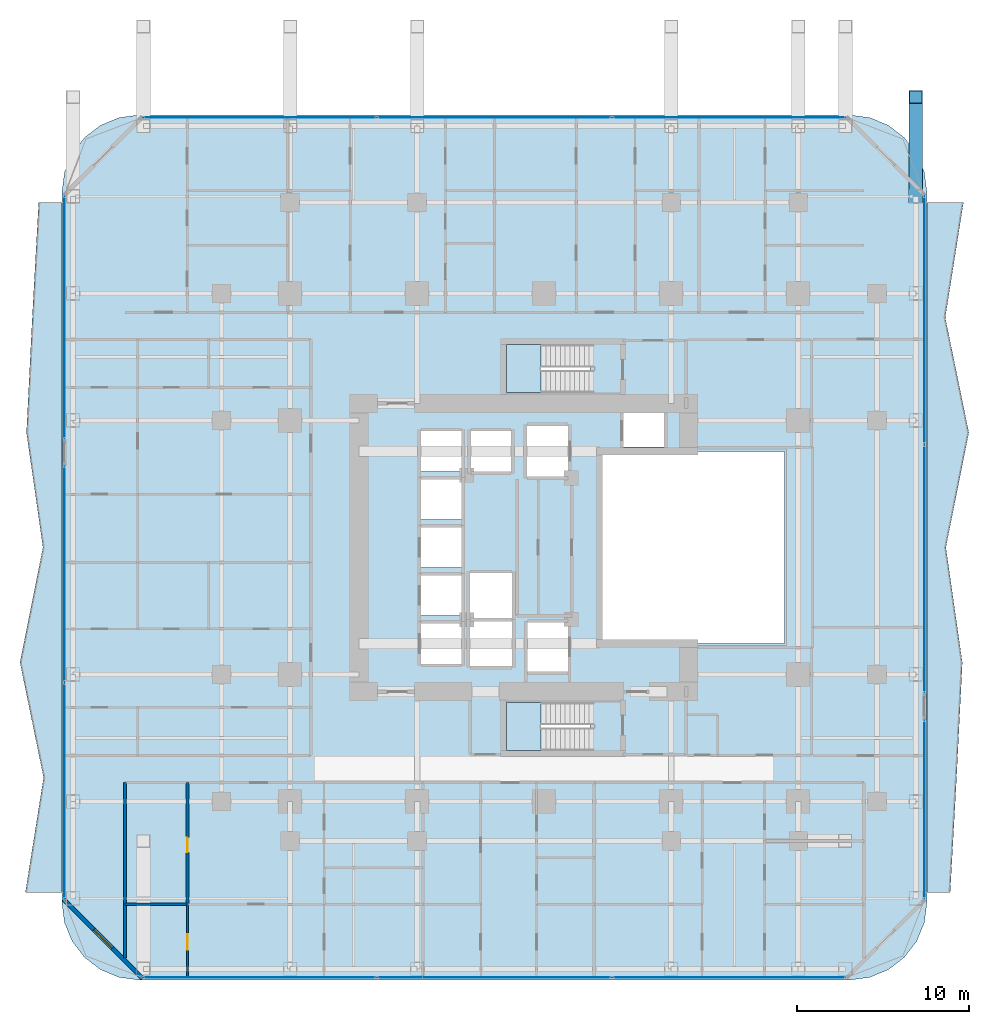
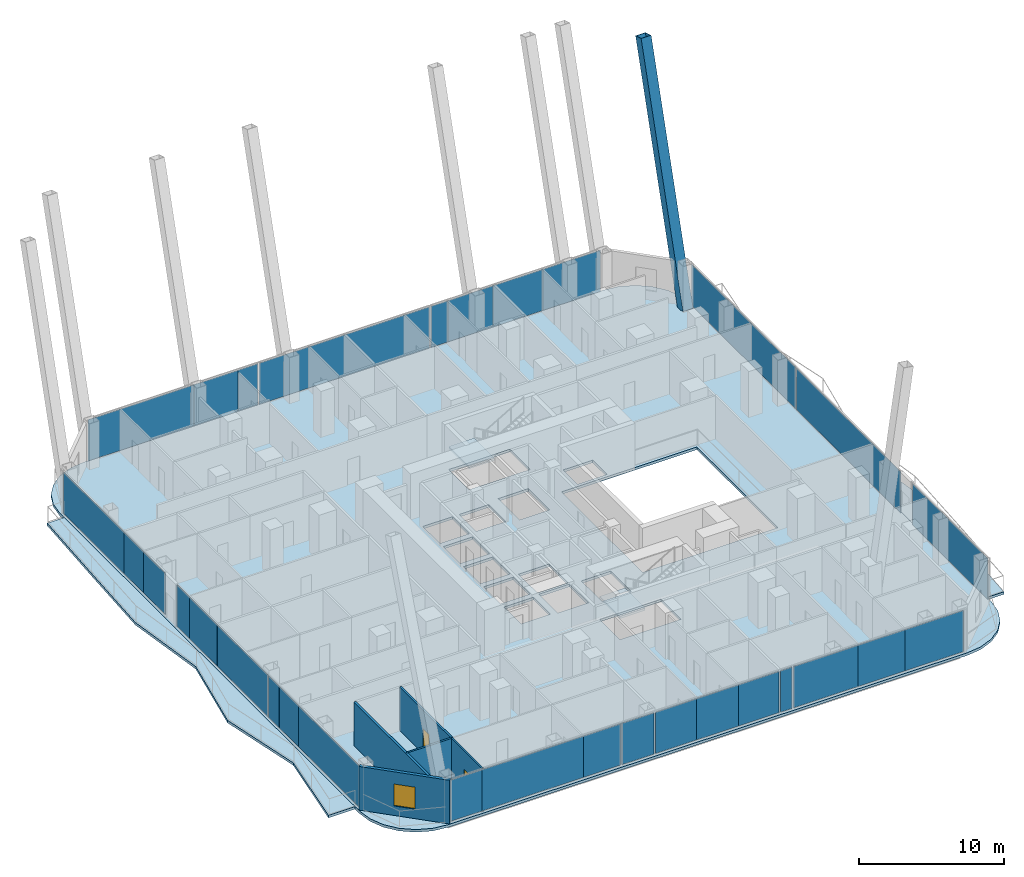
# One storey, part 22 of 33: 31 plates, 5 slabs, 5 walls, 2 doors, 1 member, 1 window, 3 openings, 8 elements without a shape of their own.
"""IFC4 building model written with IfcOpenShell, lengths in metres."""

from ifc_helpers import new_model, si_unit, direction, frame, frame_2d, origin, origin_2d, place, context, subcontext, project, spatial, polyline, rectangle, hollow_rectangle, outline, extrude, material, layer, layer_set, material_profile, profile_set, type_object, element, fill, aggregate, save


model = new_model("IFC4")

# Units and contexts
model_context = context("Model", 3, precision=1e-05, world=origin(), true_north=direction((0.0, 1.0)))
body_context = subcontext(model_context, "Body", "Model", "MODEL_VIEW")
ifc_project = project(units=[si_unit("LENGTHUNIT", "METRE"), si_unit("AREAUNIT", "SQUARE_METRE"), si_unit("VOLUMEUNIT", "CUBIC_METRE"), si_unit("PLANEANGLEUNIT", "RADIAN"), si_unit("MASSUNIT", "GRAM", prefix="KILO")], contexts=[model_context])

# Site, building, storey
site_placement = place(None, origin())
site = spatial("IfcSite", under=ifc_project, at=site_placement, CompositionType="ELEMENT")
building_placement = place(site_placement, origin())
building = spatial("IfcBuilding", under=site, at=building_placement, Name="Khorvyn Point Tower", CompositionType="ELEMENT")
storey_placement = place(building_placement, frame((0.0, 0.0, 65.699951171875)))
storey = spatial("IfcBuildingStorey", under=building, at=storey_placement, Name="L17", CompositionType="ELEMENT", Elevation=65.699951171875)

# Member
ifc_material_1 = material(Name="Steel S450", Category="steel")
ifc_material_profile = material_profile(ifc_material_1, hollow_rectangle(XDim=0.800048828125, YDim=0.800048828125, WallThickness=0.035888671875, at=origin_2d()))
ifc_profile_set = profile_set([ifc_material_profile], Name="Steel S450 BOX800x800x36")
member_type = type_object("IfcMemberType", Name="Steel S450 Exoskeleton Structural Post BOX800x800x36", PredefinedType="POST", material=ifc_profile_set)
member_placement = place(storey_placement, frame((21.64990234375, 20.449951171875, 0.0), z_axis=(0.0, 0.285094530681, 0.958499404578), x_axis=(-1.0, 0.0, 0.0)))
element("IfcMember", 1, at=member_placement, inside=storey, type_object=member_type, Name="L17 to L21 Exoskeleton Transfer Post 06", PredefinedType="POST", context=body_context, shape_type="SweptSolid", body=[
    extrude(hollow_rectangle(XDim=0.800048828125, YDim=0.800048828125, WallThickness=0.035888671875, at=origin_2d()), origin(), (0.0, 0.0, 1.0), 20.34423828125),
])

# Slabs
ifc_material_2 = material(Name="Concrete C35/45", Category="concrete")
ifc_layer_1 = layer(ifc_material_2, 0.219970703125)
ifc_layer_set_1 = layer_set([ifc_layer_1], Name="Concrete C35/45 Structural Floor Slab 220")
slab_type_1 = type_object("IfcSlabType", Name="Concrete C35/45 Structural Floor Slab 220", PredefinedType="FLOOR", material=ifc_layer_set_1)
slab_1_placement = place(storey_placement, frame((0.0, 0.0, -0.219970703125)))
element("IfcSlab", 2, at=slab_1_placement, inside=storey, type_object=slab_type_1, Name="L17 Main Structural Floor Slab", PredefinedType="FLOOR", context=body_context, shape_type="SweptSolid", body=[
    extrude(outline(polyline([(-23.60009765625, -25.199951171875), (-24.7646484375, -25.046630859375), (-25.85009765625, -24.59716796875), (-26.781982421875, -23.882080078125), (-27.4970703125, -22.949951171875), (-27.94677734375, -21.86474609375), (-28.10009765625, -20.699951171875), (-28.10009765625, 20.699951171875), (-27.94677734375, 21.86474609375), (-27.4970703125, 22.949951171875), (-26.781982421875, 23.882080078125), (-25.85009765625, 24.59716796875), (-24.7646484375, 25.046630859375), (-23.60009765625, 25.199951171875), (17.800048828125, 25.199951171875), (18.964599609375, 25.046630859375), (20.050048828125, 24.59716796875), (20.98193359375, 23.882080078125), (21.697021484375, 22.949951171875), (22.146728515625, 21.86474609375), (22.300048828125, 20.699951171875), (22.300048828125, -20.699951171875), (22.146728515625, -21.86474609375), (21.697021484375, -22.949951171875), (20.98193359375, -23.882080078125), (20.050048828125, -24.59716796875), (18.964599609375, -25.046630859375), (17.800048828125, -25.199951171875), (-23.60009765625, -25.199951171875)]), holes=[polyline([(-4.824951171875, -6.77490234375), (-4.824951171875, -4.425048828125), (-7.175048828125, -4.425048828125), (-7.175048828125, -6.77490234375), (-4.824951171875, -6.77490234375)]), polyline([(-4.324951171875, -6.89990234375), (-1.875, -6.89990234375), (-1.875, -4.300048828125), (-4.324951171875, -4.300048828125), (-4.324951171875, -6.89990234375)]), polyline([(-7.175048828125, -3.97509765625), (-4.824951171875, -3.97509765625), (-4.824951171875, -1.625), (-7.175048828125, -1.625), (-7.175048828125, -3.97509765625)]), polyline([(-7.175048828125, -1.175048828125), (-4.824951171875, -1.175048828125), (-4.824951171875, 1.175048828125), (-7.175048828125, 1.175048828125), (-7.175048828125, -1.175048828125)]), polyline([(-7.175048828125, 1.625), (-4.824951171875, 1.625), (-4.824951171875, 3.97509765625), (-7.175048828125, 3.97509765625), (-7.175048828125, 1.625)]), polyline([(-7.175048828125, 4.425048828125), (-4.824951171875, 4.425048828125), (-4.824951171875, 6.77490234375), (-7.175048828125, 6.77490234375), (-7.175048828125, 4.425048828125)]), polyline([(-4.27490234375, 4.425048828125), (-1.925048828125, 4.425048828125), (-1.925048828125, 6.77490234375), (-4.27490234375, 6.77490234375), (-4.27490234375, 4.425048828125)]), polyline([(2.679931640625, -11.820068359375), (2.679931640625, -9.02001953125), (-2.199951171875, -9.02001953125), (-2.199951171875, -11.820068359375), (2.679931640625, -11.820068359375)]), polyline([(-0.97509765625, -7.22509765625), (1.375, -7.22509765625), (1.375, -4.375), (-0.97509765625, -4.375), (-0.97509765625, -7.22509765625)]), polyline([(-4.324951171875, -4.10009765625), (-1.875, -4.10009765625), (-1.875, -1.5), (-4.324951171875, -1.5), (-4.324951171875, -4.10009765625)]), polyline([(3.199951171875, -5.60009765625), (14.0, -5.60009765625), (14.0, 5.60009765625), (3.199951171875, 5.60009765625), (3.199951171875, -5.60009765625)]), polyline([(-1.0, 4.125), (1.39990234375, 4.125), (1.39990234375, 7.074951171875), (-1.0, 7.074951171875), (-1.0, 4.125)]), polyline([(4.625, 5.85009765625), (6.97509765625, 5.85009765625), (6.97509765625, 7.830078125), (4.625, 7.830078125), (4.625, 5.85009765625)]), polyline([(-2.199951171875, 9.02001953125), (2.679931640625, 9.02001953125), (2.679931640625, 11.820068359375), (-2.199951171875, 11.820068359375), (-2.199951171875, 9.02001953125)])]), origin(), (0.0, 0.0, 1.0), 0.219970703125),
])
ifc_material_3 = material(Name="Concrete C40/50", Category="concrete")
ifc_layer_2 = layer(ifc_material_3, 0.2099609375)
ifc_layer_set_2 = layer_set([ifc_layer_2], Name="Concrete C40/50 Rippling Balcony Slab 210")
slab_type_2 = type_object("IfcSlabType", Name="Concrete C40/50 Rippling Balcony Slab 210", PredefinedType="USERDEFINED", material=ifc_layer_set_2)
slab_2_placement = place(storey_placement, frame((0.0, 0.0, -0.2099609375)))
element("IfcSlab", 3, at=slab_2_placement, inside=storey, type_object=slab_type_2, Name="L17 East Sinusoidal Rippling Balcony", ObjectType="BALCONY", PredefinedType="USERDEFINED", context=body_context, shape_type="SweptSolid", body=[
    extrude(outline(polyline([(22.300048828125, -20.10009765625), (23.655029296875, -20.10009765625), (24.027099609375, -13.39990234375), (24.36328125, -6.699951171875), (23.404296875, 0.0), (24.741455078125, 6.699951171875), (23.3671875, 13.39990234375), (24.427978515625, 20.10009765625), (22.300048828125, 20.10009765625), (22.300048828125, -20.10009765625)])), origin(), (0.0, 0.0, 1.0), 0.2099609375),
])
slab_3_placement = place(storey_placement, frame((0.0, 0.0, -0.2099609375)))
element("IfcSlab", 4, at=slab_3_placement, inside=storey, type_object=slab_type_2, Name="L17 West Sinusoidal Rippling Balcony", ObjectType="BALCONY", PredefinedType="USERDEFINED", context=body_context, shape_type="SweptSolid", body=[
    extrude(outline(polyline([(-28.10009765625, 20.10009765625), (-29.455078125, 20.10009765625), (-29.826904296875, 13.39990234375), (-30.163330078125, 6.699951171875), (-29.204345703125, 0.0), (-30.54150390625, -6.699951171875), (-29.167236328125, -13.39990234375), (-30.22802734375, -20.10009765625), (-28.10009765625, -20.10009765625), (-28.10009765625, 20.10009765625)])), origin(), (0.0, 0.0, 1.0), 0.2099609375),
])

# Stair, slab
stair_type = type_object("IfcStairType", Name="Tower Concrete C40/50 Dogleg Exit Stair", PredefinedType="HALF_TURN_STAIR", material=ifc_material_3)
stair_1_placement = place(storey_placement, origin())
stair_1 = element("IfcStair", 5, at=stair_1_placement, inside=storey, type_object=stair_type, Name="L17 Tower Smokeproof Exit Stair South", PredefinedType="HALF_TURN_STAIR")
ifc_layer_3 = layer(ifc_material_3, 0.199951171875)
ifc_layer_set_3 = layer_set([ifc_layer_3], Name="Concrete C40/50 Stair Landing Slab 200")
slab_type_3 = type_object("IfcSlabType", Name="Concrete C40/50 Stair Landing Slab 200", PredefinedType="LANDING", material=ifc_layer_set_3)
slab_4_placement = place(storey_placement, frame((0.0, 0.0, 1.75)))
slab_4 = element("IfcSlab", 6, at=slab_4_placement, type_object=slab_type_3, Name="ST-01 landing 1", PredefinedType="LANDING", context=body_context, shape_type="SweptSolid", body=[
    extrude(outline(polyline([(-0.179931640625, -9.02001953125), (-2.199951171875, -9.02001953125), (-2.199951171875, -11.820068359375), (-0.179931640625, -11.820068359375), (-0.179931640625, -9.02001953125)])), origin(), (0.0, 0.0, 1.0), 0.199951171875),
])
aggregate(stair_1, [slab_4])

stair_2_placement = place(storey_placement, origin())
stair_2 = element("IfcStair", 7, at=stair_2_placement, inside=storey, type_object=stair_type, Name="L17 Tower Smokeproof Exit Stair North", PredefinedType="HALF_TURN_STAIR")
slab_5_placement = place(storey_placement, frame((0.0, 0.0, 1.75)))
slab_5 = element("IfcSlab", 8, at=slab_5_placement, type_object=slab_type_3, Name="ST-02 landing 1", PredefinedType="LANDING", context=body_context, shape_type="SweptSolid", body=[
    extrude(outline(polyline([(-0.179931640625, 11.820068359375), (-2.199951171875, 11.820068359375), (-2.199951171875, 9.02001953125), (-0.179931640625, 9.02001953125), (-0.179931640625, 11.820068359375)])), origin(), (0.0, 0.0, 1.0), 0.199951171875),
])
aggregate(stair_2, [slab_5])

# Curtain wall, plates
ifc_material_4 = material(Name="Anodised aluminium 6063-T6 and laminated Low-E glass", Category="aluminium")
ifc_layer_4 = layer(ifc_material_4, 0.18994140625)
ifc_layer_set_4 = layer_set([ifc_layer_4], Name="Stick-Built Finned Residential Curtain Wall CW-SYS-02")
curtain_wall_type = type_object("IfcCurtainWallType", Name="Stick-Built Finned Residential Curtain Wall CW-SYS-02", PredefinedType="NOTDEFINED", material=ifc_layer_set_4)
curtain_wall_1_placement = place(storey_placement, origin())
curtain_wall_1 = element("IfcCurtainWall", 9, at=curtain_wall_1_placement, inside=storey, type_object=curtain_wall_type, Name="Curtain Wall", PredefinedType="NOTDEFINED")
ifc_material_5 = material(Name="Laminated Low-E insulated glass", Category="glass")
ifc_layer_5 = layer(ifc_material_5, 0.028076171875)
ifc_layer_set_5 = layer_set([ifc_layer_5], Name="Tempered Low-E Vision Glazing Panel CW-GL28")
plate_type = type_object("IfcPlateType", Name="Tempered Low-E Vision Glazing Panel CW-GL28", PredefinedType="CURTAIN_PANEL", material=ifc_layer_set_5)
plate_1_placement = place(storey_placement, frame((6.569580078125, -25.050048828125, 0.10009765625), z_axis=(0.0, 0.0, 1.0), x_axis=(-1.0, 0.0, 0.0)))
plate_1 = element("IfcPlate", 10, at=plate_1_placement, type_object=plate_type, Name="Panel", PredefinedType="CURTAIN_PANEL", context=body_context, shape_type="SweptSolid", body=[
    extrude(rectangle(XDim=5.131103515625, YDim=0.028076171875, at=origin_2d()), origin(), (0.0, 0.0, 1.0), 3.47998046875),
])
plate_2_placement = place(storey_placement, frame((11.021484375, -25.050048828125, 0.10009765625), z_axis=(0.0, 0.0, 1.0), x_axis=(-1.0, 0.0, 0.0)))
plate_2 = element("IfcPlate", 11, at=plate_2_placement, type_object=plate_type, Name="Panel", PredefinedType="CURTAIN_PANEL", context=body_context, shape_type="SweptSolid", body=[
    extrude(rectangle(XDim=3.757080078125, YDim=0.028076171875, at=origin_2d()), origin(), (0.0, 0.0, 1.0), 3.47998046875),
])
plate_3_placement = place(storey_placement, frame((15.22705078125, -25.050048828125, 0.10009765625), z_axis=(0.0, 0.0, 1.0), x_axis=(-1.0, 0.0, 0.0)))
plate_3 = element("IfcPlate", 12, at=plate_3_placement, type_object=plate_type, Name="Panel", PredefinedType="CURTAIN_PANEL", context=body_context, shape_type="SweptSolid", body=[
    extrude(rectangle(XDim=4.637939453125, YDim=0.028076171875, at=origin_2d()), origin(), (0.0, 0.0, 1.0), 3.47998046875),
])
plate_4_placement = place(storey_placement, frame((-8.410400390625, -25.050048828125, 0.10009765625), z_axis=(0.0, 0.0, 1.0), x_axis=(-1.0, 0.0, 0.0)))
plate_4 = element("IfcPlate", 13, at=plate_4_placement, type_object=plate_type, Name="Panel", PredefinedType="CURTAIN_PANEL", context=body_context, shape_type="SweptSolid", body=[
    extrude(rectangle(XDim=2.571044921875, YDim=0.028076171875, at=origin_2d()), origin(), (0.0, 0.0, 1.0), 3.47998046875),
])
plate_5_placement = place(storey_placement, frame((-5.37451171875, -25.050048828125, 0.10009765625), z_axis=(0.0, 0.0, 1.0), x_axis=(-1.0, 0.0, 0.0)))
plate_5 = element("IfcPlate", 14, at=plate_5_placement, type_object=plate_type, Name="Panel", PredefinedType="CURTAIN_PANEL", context=body_context, shape_type="SweptSolid", body=[
    extrude(rectangle(XDim=3.2451171875, YDim=0.028076171875, at=origin_2d()), origin(), (0.0, 0.0, 1.0), 3.47998046875),
])
plate_6_placement = place(storey_placement, frame((-2.06298828125, -25.050048828125, 0.10009765625), z_axis=(0.0, 0.0, 1.0), x_axis=(-1.0, 0.0, 0.0)))
plate_6 = element("IfcPlate", 15, at=plate_6_placement, type_object=plate_type, Name="Panel", PredefinedType="CURTAIN_PANEL", context=body_context, shape_type="SweptSolid", body=[
    extrude(rectangle(XDim=3.362060546875, YDim=0.028076171875, at=origin_2d()), origin(), (0.0, 0.0, 1.0), 3.47998046875),
])
plate_7_placement = place(storey_placement, frame((1.239990234375, -25.050048828125, 0.10009765625), z_axis=(0.0, 0.0, 1.0), x_axis=(-1.0, 0.0, 0.0)))
plate_7 = element("IfcPlate", 16, at=plate_7_placement, type_object=plate_type, Name="Panel", PredefinedType="CURTAIN_PANEL", context=body_context, shape_type="SweptSolid", body=[
    extrude(rectangle(XDim=3.22802734375, YDim=0.028076171875, at=origin_2d()), origin(), (0.0, 0.0, 1.0), 3.47998046875),
])
plate_8_placement = place(storey_placement, frame((3.43896484375, -25.050048828125, 0.10009765625), z_axis=(0.0, 0.0, 1.0), x_axis=(-1.0, 0.0, 0.0)))
plate_8 = element("IfcPlate", 17, at=plate_8_placement, type_object=plate_type, Name="Panel", PredefinedType="CURTAIN_PANEL", context=body_context, shape_type="SweptSolid", body=[
    extrude(rectangle(XDim=0.9140625, YDim=0.028076171875, at=origin_2d()), origin(), (0.0, 0.0, 1.0), 3.47998046875),
])
plate_9_placement = place(storey_placement, frame((-22.096435546875, -25.050048828125, 0.10009765625), z_axis=(0.0, 0.0, 1.0), x_axis=(-1.0, 0.0, 0.0)))
plate_9 = element("IfcPlate", 18, at=plate_9_placement, type_object=plate_type, Name="Panel", PredefinedType="CURTAIN_PANEL", context=body_context, shape_type="SweptSolid", body=[
    extrude(rectangle(XDim=2.4990234375, YDim=0.028076171875, at=origin_2d()), origin(), (0.0, 0.0, 1.0), 3.47998046875),
])
plate_10_placement = place(storey_placement, frame((-16.803466796875, -25.050048828125, 0.10009765625), z_axis=(0.0, 0.0, 1.0), x_axis=(-1.0, 0.0, 0.0)))
plate_10 = element("IfcPlate", 19, at=plate_10_placement, type_object=plate_type, Name="Panel", PredefinedType="CURTAIN_PANEL", context=body_context, shape_type="SweptSolid", body=[
    extrude(rectangle(XDim=8.071044921875, YDim=0.028076171875, at=origin_2d()), origin(), (0.0, 0.0, 1.0), 3.47998046875),
])
plate_11_placement = place(storey_placement, frame((-11.281982421875, -25.050048828125, 0.10009765625), z_axis=(0.0, 0.0, 1.0), x_axis=(-1.0, 0.0, 0.0)))
plate_11 = element("IfcPlate", 20, at=plate_11_placement, type_object=plate_type, Name="Panel", PredefinedType="CURTAIN_PANEL", context=body_context, shape_type="SweptSolid", body=[
    extrude(rectangle(XDim=2.9560546875, YDim=0.028076171875, at=origin_2d()), origin(), (0.0, 0.0, 1.0), 3.47998046875),
])
aggregate(curtain_wall_1, [plate_1, plate_2, plate_3, plate_4, plate_5, plate_6, plate_7, plate_8, plate_9, plate_10, plate_11])

curtain_wall_2_placement = place(storey_placement, origin())
curtain_wall_2 = element("IfcCurtainWall", 21, at=curtain_wall_2_placement, inside=storey, type_object=curtain_wall_type, Name="Curtain Wall", PredefinedType="NOTDEFINED")
plate_12_placement = place(storey_placement, frame((-19.12060546875, 25.050048828125, 0.10009765625), z_axis=(0.0, 0.0, 1.0), x_axis=(1.0, 0.0, 0.0)))
plate_12 = element("IfcPlate", 22, at=plate_12_placement, type_object=plate_type, Name="Panel", PredefinedType="CURTAIN_PANEL", context=body_context, shape_type="SweptSolid", body=[
    extrude(rectangle(XDim=8.450927734375, YDim=0.028076171875, at=origin_2d()), origin(), (0.0, 0.0, 1.0), 3.47998046875),
])
plate_13_placement = place(storey_placement, frame((-13.12939453125, 25.050048828125, 0.10009765625), z_axis=(0.0, 0.0, 1.0), x_axis=(1.0, 0.0, 0.0)))
plate_13 = element("IfcPlate", 23, at=plate_13_placement, type_object=plate_type, Name="Panel", PredefinedType="CURTAIN_PANEL", context=body_context, shape_type="SweptSolid", body=[
    extrude(rectangle(XDim=3.514892578125, YDim=0.028076171875, at=origin_2d()), origin(), (0.0, 0.0, 1.0), 3.47998046875),
])
plate_14_placement = place(storey_placement, frame((-10.583984375, 25.050048828125, 0.10009765625), z_axis=(0.0, 0.0, 1.0), x_axis=(1.0, 0.0, 0.0)))
plate_14 = element("IfcPlate", 24, at=plate_14_placement, type_object=plate_type, Name="Panel", PredefinedType="CURTAIN_PANEL", context=body_context, shape_type="SweptSolid", body=[
    extrude(rectangle(XDim=1.56005859375, YDim=0.028076171875, at=origin_2d()), origin(), (0.0, 0.0, 1.0), 3.47998046875),
])
plate_15_placement = place(storey_placement, frame((-2.89990234375, 25.050048828125, 0.10009765625), z_axis=(0.0, 0.0, 1.0), x_axis=(1.0, 0.0, 0.0)))
plate_15 = element("IfcPlate", 25, at=plate_15_placement, type_object=plate_type, Name="Panel", PredefinedType="CURTAIN_PANEL", context=body_context, shape_type="SweptSolid", body=[
    extrude(rectangle(XDim=13.60009765625, YDim=0.028076171875, at=origin_2d()), origin(), (0.0, 0.0, 1.0), 3.47998046875),
])
plate_16_placement = place(storey_placement, frame((4.680908203125, 25.050048828125, 0.10009765625), z_axis=(0.0, 0.0, 1.0), x_axis=(1.0, 0.0, 0.0)))
plate_16 = element("IfcPlate", 26, at=plate_16_placement, type_object=plate_type, Name="Panel", PredefinedType="CURTAIN_PANEL", context=body_context, shape_type="SweptSolid", body=[
    extrude(rectangle(XDim=1.35400390625, YDim=0.028076171875, at=origin_2d()), origin(), (0.0, 0.0, 1.0), 3.47998046875),
])
plate_17_placement = place(storey_placement, frame((7.162109375, 25.050048828125, 0.10009765625), z_axis=(0.0, 0.0, 1.0), x_axis=(1.0, 0.0, 0.0)))
plate_17 = element("IfcPlate", 27, at=plate_17_placement, type_object=plate_type, Name="Panel", PredefinedType="CURTAIN_PANEL", context=body_context, shape_type="SweptSolid", body=[
    extrude(rectangle(XDim=3.592041015625, YDim=0.028076171875, at=origin_2d()), origin(), (0.0, 0.0, 1.0), 3.47998046875),
])
plate_18_placement = place(storey_placement, frame((10.948486328125, 25.050048828125, 0.10009765625), z_axis=(0.0, 0.0, 1.0), x_axis=(1.0, 0.0, 0.0)))
plate_18 = element("IfcPlate", 28, at=plate_18_placement, type_object=plate_type, Name="Panel", PredefinedType="CURTAIN_PANEL", context=body_context, shape_type="SweptSolid", body=[
    extrude(rectangle(XDim=3.965087890625, YDim=0.028076171875, at=origin_2d()), origin(), (0.0, 0.0, 1.0), 3.47998046875),
])
plate_19_placement = place(storey_placement, frame((15.242431640625, 25.050048828125, 0.10009765625), z_axis=(0.0, 0.0, 1.0), x_axis=(1.0, 0.0, 0.0)))
plate_19 = element("IfcPlate", 29, at=plate_19_placement, type_object=plate_type, Name="Panel", PredefinedType="CURTAIN_PANEL", context=body_context, shape_type="SweptSolid", body=[
    extrude(rectangle(XDim=4.60693359375, YDim=0.028076171875, at=origin_2d()), origin(), (0.0, 0.0, 1.0), 3.47998046875),
])
aggregate(curtain_wall_2, [plate_12, plate_13, plate_14, plate_15, plate_16, plate_17, plate_18, plate_19])

curtain_wall_3_placement = place(storey_placement, origin())
curtain_wall_3 = element("IfcCurtainWall", 30, at=curtain_wall_3_placement, inside=storey, type_object=curtain_wall_type, Name="Curtain Wall", PredefinedType="NOTDEFINED")
plate_20_placement = place(storey_placement, frame((-27.949951171875, -16.2548828125, 0.10009765625), z_axis=(0.0, 0.0, 1.0), x_axis=(0.0, 1.0, 0.0)))
plate_20 = element("IfcPlate", 31, at=plate_20_placement, type_object=plate_type, Name="Panel", PredefinedType="CURTAIN_PANEL", context=body_context, shape_type="SweptSolid", body=[
    extrude(rectangle(XDim=8.382080078125, YDim=0.028076171875, at=origin_2d()), origin(), (0.0, 0.0, 1.0), 3.47998046875),
])
plate_21_placement = place(storey_placement, frame((-27.949951171875, -10.719970703125, 0.10009765625), z_axis=(0.0, 0.0, 1.0), x_axis=(0.0, 1.0, 0.0)))
plate_21 = element("IfcPlate", 32, at=plate_21_placement, type_object=plate_type, Name="Panel", PredefinedType="CURTAIN_PANEL", context=body_context, shape_type="SweptSolid", body=[
    extrude(rectangle(XDim=2.672119140625, YDim=0.028076171875, at=origin_2d()), origin(), (0.0, 0.0, 1.0), 3.47998046875),
])
plate_22_placement = place(storey_placement, frame((-27.949951171875, -8.647705078125, 0.10009765625), z_axis=(0.0, 0.0, 1.0), x_axis=(0.0, 1.0, 0.0)))
plate_22 = element("IfcPlate", 33, at=plate_22_placement, type_object=plate_type, Name="Panel", PredefinedType="CURTAIN_PANEL", context=body_context, shape_type="SweptSolid", body=[
    extrude(rectangle(XDim=1.45654296875, YDim=0.028076171875, at=origin_2d()), origin(), (0.0, 0.0, 1.0), 3.47998046875),
])
plate_23_placement = place(storey_placement, frame((-27.949951171875, -4.314208984375, 0.10009765625), z_axis=(0.0, 0.0, 1.0), x_axis=(0.0, 1.0, 0.0)))
plate_23 = element("IfcPlate", 34, at=plate_23_placement, type_object=plate_type, Name="Panel", PredefinedType="CURTAIN_PANEL", context=body_context, shape_type="SweptSolid", body=[
    extrude(rectangle(XDim=6.994384765625, YDim=0.028076171875, at=origin_2d()), origin(), (0.0, 0.0, 1.0), 3.47998046875),
])
plate_24_placement = place(storey_placement, frame((-27.949951171875, 1.112060546875, 0.10009765625), z_axis=(0.0, 0.0, 1.0), x_axis=(0.0, 1.0, 0.0)))
plate_24 = element("IfcPlate", 35, at=plate_24_placement, type_object=plate_type, Name="Panel", PredefinedType="CURTAIN_PANEL", context=body_context, shape_type="SweptSolid", body=[
    extrude(rectangle(XDim=3.842041015625, YDim=0.028076171875, at=origin_2d()), origin(), (0.0, 0.0, 1.0), 3.47998046875),
])
plate_25_placement = place(storey_placement, frame((-27.949951171875, 3.8779296875, 0.10009765625), z_axis=(0.0, 0.0, 1.0), x_axis=(0.0, 1.0, 0.0)))
plate_25 = element("IfcPlate", 36, at=plate_25_placement, type_object=plate_type, Name="Panel", PredefinedType="CURTAIN_PANEL", context=body_context, shape_type="SweptSolid", body=[
    extrude(rectangle(XDim=1.674072265625, YDim=0.028076171875, at=origin_2d()), origin(), (0.0, 0.0, 1.0), 3.47998046875),
])
aggregate(curtain_wall_3, [plate_20, plate_21, plate_22, plate_23, plate_24, plate_25])

curtain_wall_4_placement = place(storey_placement, origin())
curtain_wall_4 = element("IfcCurtainWall", 37, at=curtain_wall_4_placement, inside=storey, type_object=curtain_wall_type, Name="Curtain Wall", PredefinedType="NOTDEFINED")
plate_26_placement = place(storey_placement, frame((-27.949951171875, 7.869384765625, 0.10009765625), z_axis=(0.0, 0.0, 1.0), x_axis=(0.0, 1.0, 0.0)))
plate_26 = element("IfcPlate", 38, at=plate_26_placement, type_object=plate_type, Name="Panel", PredefinedType="CURTAIN_PANEL", context=body_context, shape_type="SweptSolid", body=[
    extrude(rectangle(XDim=3.012939453125, YDim=0.028076171875, at=origin_2d()), origin(), (0.0, 0.0, 1.0), 3.47998046875),
])
plate_27_placement = place(storey_placement, frame((-27.949951171875, 10.719970703125, 0.10009765625), z_axis=(0.0, 0.0, 1.0), x_axis=(0.0, 1.0, 0.0)))
plate_27 = element("IfcPlate", 39, at=plate_27_placement, type_object=plate_type, Name="Panel", PredefinedType="CURTAIN_PANEL", context=body_context, shape_type="SweptSolid", body=[
    extrude(rectangle(XDim=2.672119140625, YDim=0.028076171875, at=origin_2d()), origin(), (0.0, 0.0, 1.0), 3.47998046875),
])
plate_28_placement = place(storey_placement, frame((-27.949951171875, 16.2548828125, 0.10009765625), z_axis=(0.0, 0.0, 1.0), x_axis=(0.0, 1.0, 0.0)))
plate_28 = element("IfcPlate", 40, at=plate_28_placement, type_object=plate_type, Name="Panel", PredefinedType="CURTAIN_PANEL", context=body_context, shape_type="SweptSolid", body=[
    extrude(rectangle(XDim=8.382080078125, YDim=0.028076171875, at=origin_2d()), origin(), (0.0, 0.0, 1.0), 3.47998046875),
])
aggregate(curtain_wall_4, [plate_26, plate_27, plate_28])

curtain_wall_5_placement = place(storey_placement, origin())
curtain_wall_5 = element("IfcCurtainWall", 41, at=curtain_wall_5_placement, inside=storey, type_object=curtain_wall_type, Name="Curtain Wall", PredefinedType="NOTDEFINED")
plate_29_placement = place(storey_placement, frame((22.14990234375, 13.25048828125, 0.10009765625), z_axis=(0.0, 0.0, 1.0), x_axis=(0.0, -1.0, 0.0)))
plate_29 = element("IfcPlate", 42, at=plate_29_placement, type_object=plate_type, Name="Panel", PredefinedType="CURTAIN_PANEL", context=body_context, shape_type="SweptSolid", body=[
    extrude(rectangle(XDim=14.39892578125, YDim=0.028076171875, at=origin_2d()), origin(), (0.0, 0.0, 1.0), 3.47998046875),
])
plate_30_placement = place(storey_placement, frame((22.14990234375, -1.24853515625, 0.10009765625), z_axis=(0.0, 0.0, 1.0), x_axis=(0.0, -1.0, 0.0)))
plate_30 = element("IfcPlate", 43, at=plate_30_placement, type_object=plate_type, Name="Panel", PredefinedType="CURTAIN_PANEL", context=body_context, shape_type="SweptSolid", body=[
    extrude(rectangle(XDim=14.39892578125, YDim=0.028076171875, at=origin_2d()), origin(), (0.0, 0.0, 1.0), 3.47998046875),
])
aggregate(curtain_wall_5, [plate_29, plate_30])

# Curtain wall, plate
curtain_wall_6_placement = place(storey_placement, origin())
curtain_wall_6 = element("IfcCurtainWall", 44, at=curtain_wall_6_placement, inside=storey, type_object=curtain_wall_type, Name="Curtain Wall", PredefinedType="NOTDEFINED")
plate_31_placement = place(storey_placement, frame((22.14990234375, -15.26904296875, 0.10009765625), z_axis=(0.0, 0.0, 1.0), x_axis=(0.0, -1.0, 0.0)))
plate_31 = element("IfcPlate", 45, at=plate_31_placement, type_object=plate_type, Name="Panel", PredefinedType="CURTAIN_PANEL", context=body_context, shape_type="SweptSolid", body=[
    extrude(rectangle(XDim=10.362060546875, YDim=0.028076171875, at=origin_2d()), origin(), (0.0, 0.0, 1.0), 3.47998046875),
])
aggregate(curtain_wall_6, [plate_31])

# Wall
ifc_material_6 = material(Name="Double acoustic gypsum on twin steel stud", Category="steel")
ifc_layer_6 = layer(ifc_material_6, 0.179931640625)
ifc_layer_set_6 = layer_set([ifc_layer_6], Name="Acoustic Double-Stud Apartment Demising Wall 180")
wall_type_1 = type_object("IfcWallType", Name="Acoustic Double-Stud Apartment Demising Wall 180", PredefinedType="PARTITIONING", material=ifc_layer_set_6)
wall_1_placement = place(storey_placement, frame((-24.419921875, -23.909912109375, 0.0), z_axis=(0.0, 0.0, 1.0), x_axis=(0.0, 1.0, 0.0)))
element("IfcWall", 46, at=wall_1_placement, inside=storey, type_object=wall_type_1, Name="Wall", PredefinedType="PARTITIONING", context=body_context, shape_type="SweptSolid", body=[
    extrude(rectangle(XDim=10.2099609375, YDim=0.179931640625, at=frame_2d((5.10498046875, 0.0))), origin(), (0.0, 0.0, 1.0), 3.679931640625),
])

# Wall, opening, window
ifc_material_7 = material(Name="Pale anodised aluminium rainscreen on steel stud", Category="steel")
ifc_layer_7 = layer(ifc_material_7, 0.239990234375)
ifc_layer_set_7 = layer_set([ifc_layer_7], Name="Anodised Aluminium Insulated Corner Spandrel Wall 240")
wall_type_2 = type_object("IfcWallType", Name="Anodised Aluminium Insulated Corner Spandrel Wall 240", PredefinedType="SOLIDWALL", material=ifc_layer_set_7)
wall_2_placement = place(storey_placement, frame((-23.40771484375, -25.09228515625, 0.0), z_axis=(0.0, 0.0, 1.0), x_axis=(-0.707106781187, 0.707106781187, 0.0)))
wall_2 = element("IfcWall", 47, at=wall_2_placement, inside=storey, type_object=wall_type_2, Name="L17 Rounded Corner Wall SW", PredefinedType="SOLIDWALL", context=body_context, shape_type="SweptSolid", body=[
    extrude(rectangle(XDim=6.48388671875, YDim=0.239990234375, at=frame_2d((3.241943359375, 0.0))), origin(), (0.0, 0.0, 1.0), 3.679931640625),
])
opening_1_placement = place(wall_2_placement, frame((2.491943359375, 0.0, 0.800048828125)))
opening_1 = element("IfcOpeningElement", 48, at=opening_1_placement, cuts=wall_2, Name="Opening WN-1518", PredefinedType="OPENING", context=body_context, shape_type="SweptSolid", body=[
    extrude(rectangle(XDim=1.5, YDim=1.85009765625, at=frame_2d((0.75, 0.925048828125))), frame((0.0, 0.1298828125, 0.0), z_axis=(0.0, -1.0, 0.0), x_axis=(1.0, 0.0, 0.0)), (0.0, 0.0, 1.0), 0.260009765625),
])
window_type = type_object("IfcWindowType", Name="Anodised Aluminium Rounded-Corner Panoramic Window 1500x1850", PartitioningType="SINGLE_PANEL", PredefinedType="WINDOW", material=ifc_material_4)
window_placement = place(opening_1_placement, origin())
window = element("IfcWindow", 49, at=window_placement, inside=storey, type_object=window_type, Name="L17 Corner Panoramic Window SW", OverallHeight=1.85009765625, OverallWidth=1.5, PartitioningType="SINGLE_PANEL", PredefinedType="WINDOW", context=body_context, shape_type="SweptSolid", body=[
    extrude(rectangle(XDim=1.5, YDim=1.85009765625, at=frame_2d((0.75, 0.925048828125))), frame((0.0, 0.030029296875, 0.0), z_axis=(0.0, -1.0, 0.0), x_axis=(1.0, 0.0, 0.0)), (0.0, 0.0, 1.0), 0.06005859375),
])
fill(opening_1, window)

# Wall, opening, door
ifc_material_8 = material(Name="Gypsum plasterboard on steel stud", Category="steel")
ifc_layer_8 = layer(ifc_material_8, 0.1201171875)
ifc_layer_set_8 = layer_set([ifc_layer_8], Name="Gypsum Acoustic Stud Room Partition Wall 120")
wall_type_3 = type_object("IfcWallType", Name="Gypsum Acoustic Stud Room Partition Wall 120", PredefinedType="PARTITIONING", material=ifc_layer_set_8)
wall_3_placement = place(storey_placement, frame((-20.782958984375, -25.030029296875, 0.0), z_axis=(0.0, 0.0, 1.0), x_axis=(0.0, 1.0, 0.0)))
wall_3 = element("IfcWall", 50, at=wall_3_placement, inside=storey, type_object=wall_type_3, Name="Wall", PredefinedType="PARTITIONING", context=body_context, shape_type="SweptSolid", body=[
    extrude(rectangle(XDim=4.239990234375, YDim=0.1201171875, at=frame_2d((2.1201171875, 0.0))), origin(), (0.0, 0.0, 1.0), 3.679931640625),
])
opening_2_placement = place(wall_3_placement, frame((1.581298828125, 0.0, 0.0)))
opening_2 = element("IfcOpeningElement", 51, at=opening_2_placement, cuts=wall_3, Name="Opening ID-RM90", PredefinedType="OPENING", context=body_context, shape_type="SweptSolid", body=[
    extrude(rectangle(XDim=0.89990234375, YDim=2.10009765625, at=frame_2d((0.449951171875, 1.050048828125))), frame((0.0, 0.070068359375, 0.0), z_axis=(0.0, -1.0, 0.0), x_axis=(1.0, 0.0, 0.0)), (0.0, 0.0, 1.0), 0.14013671875),
])
ifc_material_9 = material(Name="Engineered oak veneer timber", Category="wood")
door_type_1 = type_object("IfcDoorType", Name="Flush Engineered Timber Room Door 900x2100", OperationType="NOTDEFINED", PredefinedType="DOOR", material=ifc_material_9)
door_1_placement = place(opening_2_placement, origin())
door_1 = element("IfcDoor", 52, at=door_1_placement, inside=storey, type_object=door_type_1, Name="Door", OperationType="SINGLE_SWING_RIGHT", OverallHeight=2.10009765625, OverallWidth=0.89990234375, PredefinedType="DOOR", context=body_context, shape_type="SweptSolid", body=[
    extrude(rectangle(XDim=0.89990234375, YDim=2.10009765625, at=frame_2d((0.449951171875, 1.050048828125))), frame((0.0, 0.02490234375, 0.0), z_axis=(0.0, -1.0, 0.0), x_axis=(1.0, 0.0, 0.0)), (0.0, 0.0, 1.0), 0.050048828125),
])
fill(opening_2, door_1)

ifc_material_10 = material(Name="Moisture-resistant gypsum and cement board", Category="gypsum")
ifc_layer_9 = layer(ifc_material_10, 0.14990234375)
ifc_layer_set_9 = layer_set([ifc_layer_9], Name="Moisture-Resistant Wet-Room Partition Wall 150")
wall_type_4 = type_object("IfcWallType", Name="Moisture-Resistant Wet-Room Partition Wall 150", PredefinedType="PARTITIONING", material=ifc_layer_set_9)
wall_4_placement = place(storey_placement, frame((-20.782958984375, -20.7900390625, 0.0), z_axis=(0.0, 0.0, 1.0), x_axis=(0.0, 1.0, 0.0)))
wall_4 = element("IfcWall", 53, at=wall_4_placement, inside=storey, type_object=wall_type_4, Name="Wall", PredefinedType="PARTITIONING", context=body_context, shape_type="SweptSolid", body=[
    extrude(rectangle(XDim=7.090087890625, YDim=0.14990234375, at=frame_2d((3.544921875, 0.0))), origin(), (0.0, 0.0, 1.0), 3.679931640625),
])
opening_3_placement = place(wall_4_placement, frame((3.0302734375, 0.0, 0.0)))
opening_3 = element("IfcOpeningElement", 54, at=opening_3_placement, cuts=wall_4, Name="Opening ID-WC85", PredefinedType="OPENING", context=body_context, shape_type="SweptSolid", body=[
    extrude(rectangle(XDim=0.85009765625, YDim=2.10009765625, at=frame_2d((0.425048828125, 1.050048828125))), frame((0.0, 0.0849609375, 0.0), z_axis=(0.0, -1.0, 0.0), x_axis=(1.0, 0.0, 0.0)), (0.0, 0.0, 1.0), 0.169921875),
])
ifc_material_11 = material(Name="High-pressure laminate on moisture-resistant core", Category="wood")
door_type_2 = type_object("IfcDoorType", Name="Moisture-Resistant Accessible Washroom Door 850x2100", OperationType="NOTDEFINED", PredefinedType="DOOR", material=ifc_material_11)
door_2_placement = place(opening_3_placement, origin())
door_2 = element("IfcDoor", 55, at=door_2_placement, inside=storey, type_object=door_type_2, Name="Door", OperationType="SINGLE_SWING_LEFT", OverallHeight=2.10009765625, OverallWidth=0.85009765625, PredefinedType="DOOR", context=body_context, shape_type="SweptSolid", body=[
    extrude(rectangle(XDim=0.85009765625, YDim=2.10009765625, at=frame_2d((0.425048828125, 1.050048828125))), frame((0.0, 0.02490234375, 0.0), z_axis=(0.0, -1.0, 0.0), x_axis=(1.0, 0.0, 0.0)), (0.0, 0.0, 1.0), 0.050048828125),
])
fill(opening_3, door_2)

# Wall
wall_5_placement = place(storey_placement, frame((-24.419921875, -20.7900390625, 0.0), z_axis=(0.0, 0.0, 1.0), x_axis=(1.0, 0.0, 0.0)))
element("IfcWall", 56, at=wall_5_placement, inside=storey, type_object=wall_type_4, Name="Wall", PredefinedType="PARTITIONING", context=body_context, shape_type="SweptSolid", body=[
    extrude(rectangle(XDim=3.636962890625, YDim=0.14990234375, at=frame_2d((1.818359375, 0.0))), origin(), (0.0, 0.0, 1.0), 3.679931640625),
])

save(model, "model.ifc")
